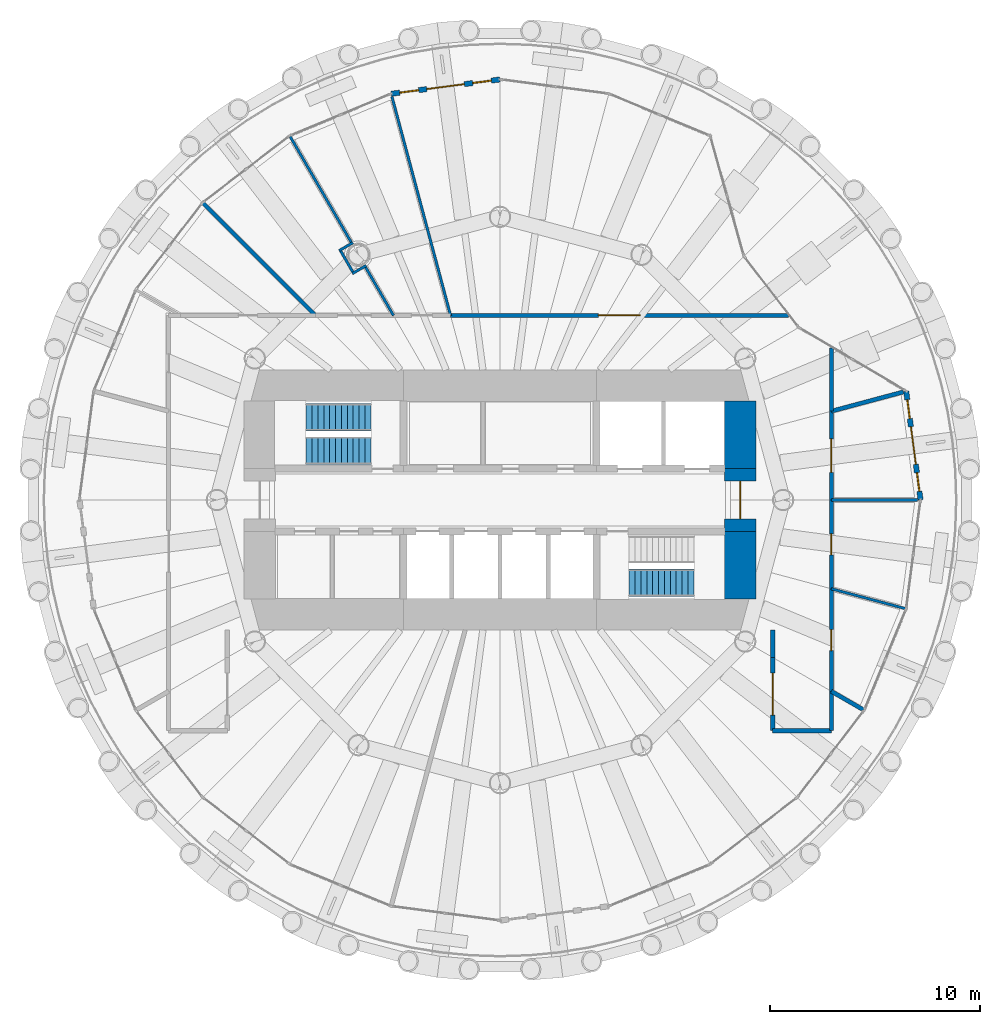
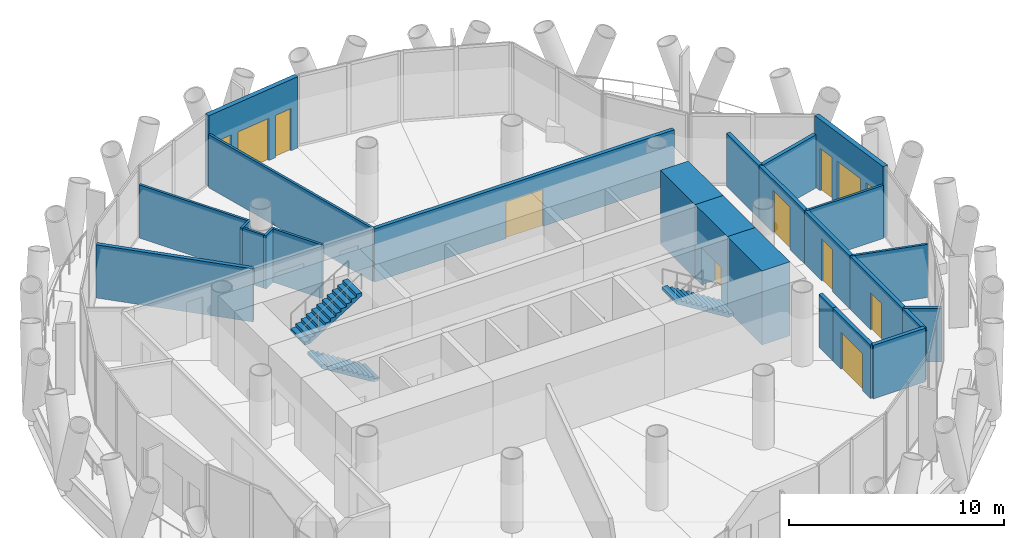
# One storey, part 10 of 14: 25 walls, 8 doors, 4 windows, 3 stair flights, 12 openings, 2 elements without a shape of their own.
"""IFC4 building model written with IfcOpenShell, lengths in metres."""

from ifc_helpers import new_model, si_unit, direction, frame, frame_2d, origin, place, context, subcontext, project, spatial, polyline, rectangle, outline, extrude, material, layer, layer_set, type_object, element, fill, aggregate, save


model = new_model("IFC4")

# Units and contexts
model_context = context("Model", 3, precision=1e-05, world=origin(), true_north=direction((0.0, 1.0)))
body_context = subcontext(model_context, "Body", "Model", "MODEL_VIEW")
ifc_project = project(units=[si_unit("LENGTHUNIT", "METRE"), si_unit("AREAUNIT", "SQUARE_METRE"), si_unit("VOLUMEUNIT", "CUBIC_METRE"), si_unit("PLANEANGLEUNIT", "RADIAN"), si_unit("MASSUNIT", "GRAM", prefix="KILO")], contexts=[model_context])

# Site, building, storey
site_placement = place(None, origin())
site = spatial("IfcSite", under=ifc_project, at=site_placement, CompositionType="ELEMENT")
building_placement = place(site_placement, origin())
building = spatial("IfcBuilding", under=site, at=building_placement, Name="Qaws Media Tower", CompositionType="ELEMENT")
storey_placement = place(building_placement, frame((0.0, 0.0, 236.0)))
storey = spatial("IfcBuildingStorey", under=building, at=storey_placement, Name="L54", CompositionType="ELEMENT", Elevation=236.0)

# Wall, openings, door, windows
ifc_material_1 = material(Name="Precast concrete, exposed finish", Category="concrete")
ifc_layer_1 = layer(ifc_material_1, 0.25)
ifc_layer_set_1 = layer_set([ifc_layer_1], Name="Balcony door wall 250")
wall_type_1 = type_object("IfcWallType", Name="Balcony door wall 250", PredefinedType="SOLIDWALL", material=ifc_layer_set_1)
wall_1_placement = place(storey_placement, frame((80.050048828125, 50.0, 0.0), z_axis=(0.0, 0.0, 1.0), x_axis=(-0.130559487011, 0.991440477463, 0.0)))
wall_1 = element("IfcWall", 1, at=wall_1_placement, inside=storey, type_object=wall_type_1, Name="W255 EW1 balcony door wall L54-01", PredefinedType="SOLIDWALL", context=body_context, shape_type="SweptSolid", body=[
    extrude(rectangle(XDim=5.234130859375, YDim=0.25, at=frame_2d((2.6171875, 0.0))), origin(), (0.0, 0.0, 1.0), 4.0400390625),
])
opening_1_placement = place(wall_1_placement, frame((1.717041015625, 0.0, 0.0)))
opening_1 = element("IfcOpeningElement", 2, at=opening_1_placement, cuts=wall_1, Name="Opening D7", PredefinedType="OPENING", context=body_context, shape_type="SweptSolid", body=[
    extrude(rectangle(XDim=1.800048828125, YDim=2.39990234375, at=frame_2d((0.89990234375, 1.199951171875))), frame((0.0, 0.135009765625, 0.0), z_axis=(0.0, -1.0, 0.0), x_axis=(1.0, 0.0, 0.0)), (0.0, 0.0, 1.0), 0.27001953125),
])
opening_2_placement = place(wall_1_placement, frame((0.4169921875, 0.0, 0.0)))
opening_2 = element("IfcOpeningElement", 3, at=opening_2_placement, cuts=wall_1, Name="Opening W7", PredefinedType="OPENING", context=body_context, shape_type="SweptSolid", body=[
    extrude(rectangle(XDim=0.89990234375, YDim=2.39990234375, at=frame_2d((0.449951171875, 1.199951171875))), frame((0.0, 0.135009765625, 0.0), z_axis=(0.0, -1.0, 0.0), x_axis=(1.0, 0.0, 0.0)), (0.0, 0.0, 1.0), 0.27001953125),
])
opening_3_placement = place(wall_1_placement, frame((3.9169921875, 0.0, 0.0)))
opening_3 = element("IfcOpeningElement", 4, at=opening_3_placement, cuts=wall_1, Name="Opening W7", PredefinedType="OPENING", context=body_context, shape_type="SweptSolid", body=[
    extrude(rectangle(XDim=0.89990234375, YDim=2.39990234375, at=frame_2d((0.449951171875, 1.199951171875))), frame((0.0, 0.135009765625, 0.0), z_axis=(0.0, -1.0, 0.0), x_axis=(1.0, 0.0, 0.0)), (0.0, 0.0, 1.0), 0.27001953125),
])
ifc_material_2 = material(Name="Aluminium and clear glass", Category="aluminium")
door_type_1 = type_object("IfcDoorType", Name="Balcony door pair 1800", OperationType="DOUBLE_DOOR_SLIDING", PredefinedType="DOOR", material=ifc_material_2)
door_1_placement = place(opening_1_placement, origin())
door_1 = element("IfcDoor", 5, at=door_1_placement, inside=storey, type_object=door_type_1, Name="D7 balcony door L54-01 in wall W255", OperationType="DOUBLE_DOOR_SLIDING", OverallHeight=2.39990234375, OverallWidth=1.800048828125, PredefinedType="DOOR", context=body_context, shape_type="SweptSolid", body=[
    extrude(rectangle(XDim=1.800048828125, YDim=2.39990234375, at=frame_2d((0.89990234375, 1.199951171875))), frame((0.0, 0.02490234375, 0.0), z_axis=(0.0, -1.0, 0.0), x_axis=(1.0, 0.0, 0.0)), (0.0, 0.0, 1.0), 0.050048828125),
])
fill(opening_1, door_1)
ifc_material_3 = material(Name="Aluminium and clear glass", Category="aluminium")
window_type = type_object("IfcWindowType", Name="Balcony side window 900", PartitioningType="SINGLE_PANEL", PredefinedType="WINDOW", material=ifc_material_3)
window_1_placement = place(opening_2_placement, origin())
window_1 = element("IfcWindow", 6, at=window_1_placement, inside=storey, type_object=window_type, Name="W1 balcony side light L54-01L", OverallHeight=2.39990234375, OverallWidth=0.89990234375, PartitioningType="SINGLE_PANEL", PredefinedType="WINDOW", context=body_context, shape_type="SweptSolid", body=[
    extrude(rectangle(XDim=0.89990234375, YDim=2.39990234375, at=frame_2d((0.449951171875, 1.199951171875))), frame((0.0, 0.030029296875, 0.0), z_axis=(0.0, -1.0, 0.0), x_axis=(1.0, 0.0, 0.0)), (0.0, 0.0, 1.0), 0.06005859375),
])
fill(opening_2, window_1)
window_2_placement = place(opening_3_placement, origin())
window_2 = element("IfcWindow", 7, at=window_2_placement, inside=storey, type_object=window_type, Name="W1 balcony side light L54-01R", OverallHeight=2.39990234375, OverallWidth=0.89990234375, PartitioningType="SINGLE_PANEL", PredefinedType="WINDOW", context=body_context, shape_type="SweptSolid", body=[
    extrude(rectangle(XDim=0.89990234375, YDim=2.39990234375, at=frame_2d((0.449951171875, 1.199951171875))), frame((0.0, 0.030029296875, 0.0), z_axis=(0.0, -1.0, 0.0), x_axis=(1.0, 0.0, 0.0)), (0.0, 0.0, 1.0), 0.06005859375),
])
fill(opening_3, window_2)

wall_2_placement = place(storey_placement, frame((60.0, 70.050048828125, 0.0), z_axis=(0.0, 0.0, 1.0), x_axis=(-0.991440477463, -0.130559487011, 0.0)))
wall_2 = element("IfcWall", 8, at=wall_2_placement, inside=storey, type_object=wall_type_1, Name="W254 EW1 balcony door wall L54-07", PredefinedType="SOLIDWALL", context=body_context, shape_type="SweptSolid", body=[
    extrude(rectangle(XDim=5.234130859375, YDim=0.25, at=frame_2d((2.6171875, 0.0))), origin(), (0.0, 0.0, 1.0), 4.0400390625),
])
opening_4_placement = place(wall_2_placement, frame((1.717041015625, 0.0, 0.0)))
opening_4 = element("IfcOpeningElement", 9, at=opening_4_placement, cuts=wall_2, Name="Opening D7", PredefinedType="OPENING", context=body_context, shape_type="SweptSolid", body=[
    extrude(rectangle(XDim=1.800048828125, YDim=2.39990234375, at=frame_2d((0.89990234375, 1.199951171875))), frame((0.0, 0.135009765625, 0.0), z_axis=(0.0, -1.0, 0.0), x_axis=(1.0, 0.0, 0.0)), (0.0, 0.0, 1.0), 0.27001953125),
])
opening_5_placement = place(wall_2_placement, frame((0.4169921875, 0.0, 0.0)))
opening_5 = element("IfcOpeningElement", 10, at=opening_5_placement, cuts=wall_2, Name="Opening W7", PredefinedType="OPENING", context=body_context, shape_type="SweptSolid", body=[
    extrude(rectangle(XDim=0.89990234375, YDim=2.39990234375, at=frame_2d((0.449951171875, 1.199951171875))), frame((0.0, 0.135009765625, 0.0), z_axis=(0.0, -1.0, 0.0), x_axis=(1.0, 0.0, 0.0)), (0.0, 0.0, 1.0), 0.27001953125),
])
opening_6_placement = place(wall_2_placement, frame((3.9169921875, 0.0, 0.0)))
opening_6 = element("IfcOpeningElement", 11, at=opening_6_placement, cuts=wall_2, Name="Opening W7", PredefinedType="OPENING", context=body_context, shape_type="SweptSolid", body=[
    extrude(rectangle(XDim=0.89990234375, YDim=2.39990234375, at=frame_2d((0.449951171875, 1.199951171875))), frame((0.0, 0.135009765625, 0.0), z_axis=(0.0, -1.0, 0.0), x_axis=(1.0, 0.0, 0.0)), (0.0, 0.0, 1.0), 0.27001953125),
])
door_2_placement = place(opening_4_placement, origin())
door_2 = element("IfcDoor", 12, at=door_2_placement, inside=storey, type_object=door_type_1, Name="D7 balcony door L54-07 in wall W254", OperationType="DOUBLE_DOOR_SLIDING", OverallHeight=2.39990234375, OverallWidth=1.800048828125, PredefinedType="DOOR", context=body_context, shape_type="SweptSolid", body=[
    extrude(rectangle(XDim=1.800048828125, YDim=2.39990234375, at=frame_2d((0.89990234375, 1.199951171875))), frame((0.0, 0.02490234375, 0.0), z_axis=(0.0, -1.0, 0.0), x_axis=(1.0, 0.0, 0.0)), (0.0, 0.0, 1.0), 0.050048828125),
])
fill(opening_4, door_2)
window_3_placement = place(opening_5_placement, origin())
window_3 = element("IfcWindow", 13, at=window_3_placement, inside=storey, type_object=window_type, Name="W1 balcony side light L54-07L", OverallHeight=2.39990234375, OverallWidth=0.89990234375, PartitioningType="SINGLE_PANEL", PredefinedType="WINDOW", context=body_context, shape_type="SweptSolid", body=[
    extrude(rectangle(XDim=0.89990234375, YDim=2.39990234375, at=frame_2d((0.449951171875, 1.199951171875))), frame((0.0, 0.030029296875, 0.0), z_axis=(0.0, -1.0, 0.0), x_axis=(1.0, 0.0, 0.0)), (0.0, 0.0, 1.0), 0.06005859375),
])
fill(opening_5, window_3)
window_4_placement = place(opening_6_placement, origin())
window_4 = element("IfcWindow", 14, at=window_4_placement, inside=storey, type_object=window_type, Name="W1 balcony side light L54-07R", OverallHeight=2.39990234375, OverallWidth=0.89990234375, PartitioningType="SINGLE_PANEL", PredefinedType="WINDOW", context=body_context, shape_type="SweptSolid", body=[
    extrude(rectangle(XDim=0.89990234375, YDim=2.39990234375, at=frame_2d((0.449951171875, 1.199951171875))), frame((0.0, 0.030029296875, 0.0), z_axis=(0.0, -1.0, 0.0), x_axis=(1.0, 0.0, 0.0)), (0.0, 0.0, 1.0), 0.06005859375),
])
fill(opening_6, window_4)

# Wall
ifc_material_4 = material(Name="Concrete C60/75", Category="concrete")
ifc_layer_2 = layer(ifc_material_4, 1.5)
ifc_layer_set_2 = layer_set([ifc_layer_2], Name="Core wall 1500")
wall_type_2 = type_object("IfcWallType", Name="Core wall 1500", PredefinedType="SHEAR", material=ifc_layer_set_2)
wall_3_placement = place(storey_placement, frame((71.449951171875, 45.280029296875, 0.0), z_axis=(0.0, 0.0, 1.0), x_axis=(0.0, 1.0, 0.0)))
element("IfcWall", 15, at=wall_3_placement, inside=storey, type_object=wall_type_2, Name="W383 SW13 core wall ES L54", PredefinedType="SHEAR", context=body_context, shape_type="SweptSolid", body=[
    extrude(rectangle(XDim=3.219970703125, YDim=1.5, at=frame_2d((1.60986328125, 0.0))), origin(), (0.0, 0.0, 1.0), 4.199951171875),
])

# Wall, opening, door
wall_4_placement = place(storey_placement, frame((71.449951171875, 48.5, 0.0), z_axis=(0.0, 0.0, 1.0), x_axis=(0.0, 1.0, 0.0)))
wall_4 = element("IfcWall", 16, at=wall_4_placement, inside=storey, type_object=wall_type_2, Name="W384 SW13 core wall E L54", PredefinedType="SHEAR", context=body_context, shape_type="SweptSolid", body=[
    extrude(rectangle(XDim=3.0, YDim=1.5, at=frame_2d((1.5, 0.0))), origin(), (0.0, 0.0, 1.0), 4.199951171875),
])
opening_7_placement = place(wall_4_placement, frame((0.60009765625, 0.0, 0.0)))
opening_7 = element("IfcOpeningElement", 17, at=opening_7_placement, cuts=wall_4, Name="Opening D2", PredefinedType="OPENING", context=body_context, shape_type="SweptSolid", body=[
    extrude(rectangle(XDim=1.800048828125, YDim=2.10009765625, at=frame_2d((0.89990234375, 1.050048828125))), frame((0.0, 0.760009765625, 0.0), z_axis=(0.0, -1.0, 0.0), x_axis=(1.0, 0.0, 0.0)), (0.0, 0.0, 1.0), 1.52001953125),
])
ifc_material_5 = material(Name="Steel and glass, fire rated", Category="steel")
door_type_2 = type_object("IfcDoorType", Name="Lobby door pair 1800 FD60", OperationType="DOUBLE_DOOR_DOUBLE_SWING", PredefinedType="DOOR", material=ifc_material_5)
door_3_placement = place(opening_7_placement, origin())
door_3 = element("IfcDoor", 18, at=door_3_placement, inside=storey, type_object=door_type_2, Name="D2 core lobby door E L54 in wall W384", OperationType="DOUBLE_DOOR_DOUBLE_SWING", OverallHeight=2.10009765625, OverallWidth=1.800048828125, PredefinedType="DOOR", context=body_context, shape_type="SweptSolid", body=[
    extrude(rectangle(XDim=1.800048828125, YDim=2.10009765625, at=frame_2d((0.89990234375, 1.050048828125))), frame((0.0, 0.02490234375, 0.0), z_axis=(0.0, -1.0, 0.0), x_axis=(1.0, 0.0, 0.0)), (0.0, 0.0, 1.0), 0.050048828125),
])
fill(opening_7, door_3)

# Walls
wall_5_placement = place(storey_placement, frame((71.449951171875, 51.5, 0.0), z_axis=(0.0, 0.0, 1.0), x_axis=(0.0, 1.0, 0.0)))
element("IfcWall", 19, at=wall_5_placement, inside=storey, type_object=wall_type_2, Name="W385 SW13 core wall EN L54", PredefinedType="SHEAR", context=body_context, shape_type="SweptSolid", body=[
    extrude(rectangle(XDim=3.219970703125, YDim=1.5, at=frame_2d((1.60986328125, 0.0))), origin(), (0.0, 0.0, 1.0), 4.199951171875),
])
ifc_material_6 = material(Name="Two layers gypsum board each side on 75 studs, insulated", Category="gypsum")
ifc_layer_3 = layer(ifc_material_6, 0.125)
ifc_layer_set_3 = layer_set([ifc_layer_3], Name="Meeting room partition 125 Rw 48")
wall_type_3 = type_object("IfcWallType", Name="Meeting room partition 125 Rw 48", PredefinedType="PARTITIONING", material=ifc_layer_set_3)
wall_6_placement = place(storey_placement, frame((75.800048828125, 50.0, 0.0), z_axis=(0.0, 0.0, 1.0), x_axis=(1.0, 0.0, 0.0)))
element("IfcWall", 20, at=wall_6_placement, inside=storey, type_object=wall_type_3, Name="W621 IW5 partition L54", PredefinedType="PARTITIONING", context=body_context, shape_type="SweptSolid", body=[
    extrude(rectangle(XDim=4.10986328125, YDim=0.125, at=frame_2d((2.054931640625, 0.0))), origin(), (0.0, 0.0, 1.0), 3.02001953125),
])
wall_7_placement = place(storey_placement, frame((57.644775390625, 58.789794921875, 0.0), z_axis=(0.0, 0.0, 1.0), x_axis=(-0.258815105593, 0.965926881869, 0.0)))
element("IfcWall", 21, at=wall_7_placement, inside=storey, type_object=wall_type_3, Name="W620 IW5 partition L54", PredefinedType="PARTITIONING", context=body_context, shape_type="SweptSolid", body=[
    extrude(rectangle(XDim=10.810302734375, YDim=0.125, at=frame_2d((5.4052734375, 0.0))), origin(), (0.0, 0.0, 1.0), 3.02001953125),
])
for number, where, z_axis, x_axis, name in (
    (22, (53.619384765625, 61.176513671875, 0.0), (0.0, 0.0, 1.0), (-0.866036909293, -0.499980071345, 0.0), "W544 IW5 partition return L54"),
    (23, (52.989013671875, 62.2685546875, 0.0), (0.0, 0.0, 1.0), (-0.866174967129, -0.499740859165, 0.0), "W543 IW5 partition return L54"),
):
    element("IfcWall", number, at=place(storey_placement, frame(where, z_axis=z_axis, x_axis=x_axis)), inside=storey, type_object=wall_type_3, Name=name, PredefinedType="PARTITIONING", context=body_context, shape_type="SweptSolid", body=[
        extrude(rectangle(XDim=0.765625, YDim=0.125, at=frame_2d((0.3828125, 0.0))), origin(), (0.0, 0.0, 1.0), 3.02001953125),
    ])
wall_8_placement = place(storey_placement, frame((52.979248046875, 60.879150390625, 0.0), z_axis=(0.0, 0.0, 1.0), x_axis=(-0.499883687939, 0.866092546171, 0.0)))
element("IfcWall", 24, at=wall_8_placement, inside=storey, type_object=wall_type_3, Name="W542 IW5 partition return L54", PredefinedType="PARTITIONING", context=body_context, shape_type="SweptSolid", body=[
    extrude(rectangle(XDim=1.135986328125, YDim=0.125, at=frame_2d((0.56787109375, 0.0))), origin(), (0.0, 0.0, 1.0), 3.02001953125),
])
wall_9_placement = place(storey_placement, frame((54.919921875, 58.798828125, 0.0), z_axis=(0.0, 0.0, 1.0), x_axis=(-0.499977931934, 0.866038144413, 0.0)))
element("IfcWall", 25, at=wall_9_placement, inside=storey, type_object=wall_type_3, Name="W611 IW5 partition L54", PredefinedType="PARTITIONING", context=body_context, shape_type="SweptSolid", body=[
    extrude(rectangle(XDim=2.64697265625, YDim=0.125, at=frame_2d((1.323486328125, 0.0))), origin(), (0.0, 0.0, 1.0), 3.0400390625),
])
wall_10_placement = place(storey_placement, frame((52.903564453125, 62.29150390625, 0.0), z_axis=(0.0, 0.0, 1.0), x_axis=(-0.499998569178, 0.866026229868, 0.0)))
element("IfcWall", 26, at=wall_10_placement, inside=storey, type_object=wall_type_3, Name="W619 IW5 partition L54", PredefinedType="PARTITIONING", context=body_context, shape_type="SweptSolid", body=[
    extrude(rectangle(XDim=5.81689453125, YDim=0.125, at=frame_2d((2.908447265625, 0.0))), origin(), (0.0, 0.0, 1.0), 3.02001953125),
])
wall_11_placement = place(storey_placement, frame((75.802490234375, 45.765625, 0.0), z_axis=(0.0, 0.0, 1.0), x_axis=(0.965933422505, -0.258790693974, 0.0)))
element("IfcWall", 27, at=wall_11_placement, inside=storey, type_object=wall_type_3, Name="W622 IW5 partition L54", PredefinedType="PARTITIONING", context=body_context, shape_type="SweptSolid", body=[
    extrude(rectangle(XDim=3.64990234375, YDim=0.125, at=frame_2d((1.824951171875, 0.0))), origin(), (0.0, 0.0, 1.0), 3.02001953125),
])

# Wall, opening, door
ifc_material_7 = material(Name="Gypsum board on galvanised metal studs, acoustic double stud, deflection head", Category="gypsum")
ifc_layer_4 = layer(ifc_material_7, 0.199951171875)
ifc_layer_set_4 = layer_set([ifc_layer_4], Name="Room partition 200")
wall_type_4 = type_object("IfcWallType", Name="Room partition 200", PredefinedType="PARTITIONING", material=ifc_layer_set_4)
wall_12_placement = place(storey_placement, frame((57.64208984375, 58.800048828125, 0.0), z_axis=(0.0, 0.0, 1.0), x_axis=(1.0, 0.0, 0.0)))
wall_12 = element("IfcWall", 28, at=wall_12_placement, inside=storey, type_object=wall_type_4, Name="W1639 IW3 partition L54", PredefinedType="PARTITIONING", context=body_context, shape_type="SweptSolid", body=[
    extrude(rectangle(XDim=16.106201171875, YDim=0.199951171875, at=frame_2d((8.05322265625, 0.0))), origin(), (0.0, 0.0, 1.0), 3.02001953125),
])
opening_8_placement = place(wall_12_placement, frame((7.052978515625, 0.0, 0.0)))
opening_8 = element("IfcOpeningElement", 29, at=opening_8_placement, cuts=wall_12, Name="Opening D6", PredefinedType="OPENING", context=body_context, shape_type="SweptSolid", body=[
    extrude(rectangle(XDim=2.0, YDim=2.10009765625, at=frame_2d((1.0, 1.050048828125))), frame((0.0, 0.10986328125, 0.0), z_axis=(0.0, -1.0, 0.0), x_axis=(1.0, 0.0, 0.0)), (0.0, 0.0, 1.0), 0.219970703125),
])
ifc_material_8 = material(Name="Steel, acoustic, fire rated", Category="steel")
door_type_3 = type_object("IfcDoorType", Name="Room door pair 2000", OperationType="DOUBLE_DOOR_DOUBLE_SWING", PredefinedType="DOOR", material=ifc_material_8)
door_4_placement = place(opening_8_placement, origin())
door_4 = element("IfcDoor", 30, at=door_4_placement, inside=storey, type_object=door_type_3, Name="D6 Tenant office door L54 in wall W1639", OperationType="DOUBLE_DOOR_DOUBLE_SWING", OverallHeight=2.10009765625, OverallWidth=2.0, PredefinedType="DOOR", context=body_context, shape_type="SweptSolid", body=[
    extrude(rectangle(XDim=2.0, YDim=2.10009765625, at=frame_2d((1.0, 1.050048828125))), frame((0.0, 0.02490234375, 0.0), z_axis=(0.0, -1.0, 0.0), x_axis=(1.0, 0.0, 0.0)), (0.0, 0.0, 1.0), 0.050048828125),
])
fill(opening_8, door_4)

# Wall
wall_13_placement = place(storey_placement, frame((75.800048828125, 57.25146484375, 0.0), z_axis=(0.0, 0.0, 1.0), x_axis=(0.0, -1.0, 0.0)))
element("IfcWall", 31, at=wall_13_placement, inside=storey, type_object=wall_type_4, Name="W1642 IW3 partition L54", PredefinedType="PARTITIONING", context=body_context, shape_type="SweptSolid", body=[
    extrude(rectangle(XDim=3.017822265625, YDim=0.199951171875, at=frame_2d((1.5087890625, 0.0))), origin(), (0.0, 0.0, 1.0), 3.02001953125),
])

# Wall, opening, door
wall_14_placement = place(storey_placement, frame((75.800048828125, 54.233642578125, 0.0), z_axis=(0.0, 0.0, 1.0), x_axis=(0.0, -1.0, 0.0)))
wall_14 = element("IfcWall", 32, at=wall_14_placement, inside=storey, type_object=wall_type_4, Name="W1624 IW3 partition L54", PredefinedType="PARTITIONING", context=body_context, shape_type="SweptSolid", body=[
    extrude(rectangle(XDim=4.233642578125, YDim=0.199951171875, at=frame_2d((2.11669921875, 0.0))), origin(), (0.0, 0.0, 1.0), 3.02001953125),
])
opening_9_placement = place(wall_14_placement, frame((1.31689453125, 0.0, 0.0)))
opening_9 = element("IfcOpeningElement", 33, at=opening_9_placement, cuts=wall_14, Name="Opening D16", PredefinedType="OPENING", context=body_context, shape_type="SweptSolid", body=[
    extrude(rectangle(XDim=1.60009765625, YDim=2.39990234375, at=frame_2d((0.800048828125, 1.199951171875))), frame((0.0, 0.10986328125, 0.0), z_axis=(0.0, -1.0, 0.0), x_axis=(1.0, 0.0, 0.0)), (0.0, 0.0, 1.0), 0.219970703125),
])
ifc_material_9 = material(Name="Glazed aluminium, fire rated", Category="aluminium")
door_type_4 = type_object("IfcDoorType", Name="Tenant entrance door pair 1600x2400", OperationType="DOUBLE_DOOR_DOUBLE_SWING", PredefinedType="DOOR", material=ifc_material_9)
door_5_placement = place(opening_9_placement, origin())
door_5 = element("IfcDoor", 34, at=door_5_placement, inside=storey, type_object=door_type_4, Name="D16 Tenant reception door L54 in wall W1624", OperationType="DOUBLE_DOOR_DOUBLE_SWING", OverallHeight=2.39990234375, OverallWidth=1.60009765625, PredefinedType="DOOR", context=body_context, shape_type="SweptSolid", body=[
    extrude(rectangle(XDim=1.60009765625, YDim=2.39990234375, at=frame_2d((0.800048828125, 1.199951171875))), frame((0.0, 0.02490234375, 0.0), z_axis=(0.0, -1.0, 0.0), x_axis=(1.0, 0.0, 0.0)), (0.0, 0.0, 1.0), 0.050048828125),
])
fill(opening_9, door_5)

wall_15_placement = place(storey_placement, frame((75.800048828125, 50.0, 0.0), z_axis=(0.0, 0.0, 1.0), x_axis=(0.0, -1.0, 0.0)))
wall_15 = element("IfcWall", 35, at=wall_15_placement, inside=storey, type_object=wall_type_4, Name="W1623 IW3 partition L54", PredefinedType="PARTITIONING", context=body_context, shape_type="SweptSolid", body=[
    extrude(rectangle(XDim=4.233642578125, YDim=0.199951171875, at=frame_2d((2.11669921875, 0.0))), origin(), (0.0, 0.0, 1.0), 3.02001953125),
])
opening_10_placement = place(wall_15_placement, frame((1.61669921875, 0.0, 0.0)))
opening_10 = element("IfcOpeningElement", 36, at=opening_10_placement, cuts=wall_15, Name="Opening D13", PredefinedType="OPENING", context=body_context, shape_type="SweptSolid", body=[
    extrude(rectangle(XDim=1.0, YDim=2.39990234375, at=frame_2d((0.5, 1.199951171875))), frame((0.0, 0.10986328125, 0.0), z_axis=(0.0, -1.0, 0.0), x_axis=(1.0, 0.0, 0.0)), (0.0, 0.0, 1.0), 0.219970703125),
])
ifc_material_10 = material(Name="Frameless toughened glass, acoustic seals", Category="glass")
door_type_5 = type_object("IfcDoorType", Name="Glazed meeting room door 1000x2400", OperationType="SINGLE_SWING_LEFT", PredefinedType="DOOR", material=ifc_material_10)
door_6_placement = place(opening_10_placement, origin())
door_6 = element("IfcDoor", 37, at=door_6_placement, inside=storey, type_object=door_type_5, Name="D13 Meeting room door L54 in wall W1623", OperationType="SINGLE_SWING_LEFT", OverallHeight=2.39990234375, OverallWidth=1.0, PredefinedType="DOOR", context=body_context, shape_type="SweptSolid", body=[
    extrude(rectangle(XDim=1.0, YDim=2.39990234375, at=frame_2d((0.5, 1.199951171875))), frame((0.0, 0.02490234375, 0.0), z_axis=(0.0, -1.0, 0.0), x_axis=(1.0, 0.0, 0.0)), (0.0, 0.0, 1.0), 0.050048828125),
])
fill(opening_10, door_6)

wall_16_placement = place(storey_placement, frame((75.800048828125, 45.766357421875, 0.0), z_axis=(0.0, 0.0, 1.0), x_axis=(0.0, -1.0, 0.0)))
wall_16 = element("IfcWall", 38, at=wall_16_placement, inside=storey, type_object=wall_type_4, Name="W1622 IW3 partition L54", PredefinedType="PARTITIONING", context=body_context, shape_type="SweptSolid", body=[
    extrude(rectangle(XDim=4.888427734375, YDim=0.199951171875, at=frame_2d((2.4443359375, 0.0))), origin(), (0.0, 0.0, 1.0), 3.02001953125),
])
opening_11_placement = place(wall_16_placement, frame((1.9443359375, 0.0, 0.0)))
opening_11 = element("IfcOpeningElement", 39, at=opening_11_placement, cuts=wall_16, Name="Opening D5", PredefinedType="OPENING", context=body_context, shape_type="SweptSolid", body=[
    extrude(rectangle(XDim=1.0, YDim=2.10009765625, at=frame_2d((0.5, 1.050048828125))), frame((0.0, 0.10986328125, 0.0), z_axis=(0.0, -1.0, 0.0), x_axis=(1.0, 0.0, 0.0)), (0.0, 0.0, 1.0), 0.219970703125),
])
ifc_material_11 = material(Name="Timber veneered, acoustic seal", Category="wood")
door_type_6 = type_object("IfcDoorType", Name="Room door 1000", OperationType="SINGLE_SWING_LEFT", PredefinedType="DOOR", material=ifc_material_11)
door_7_placement = place(opening_11_placement, origin())
door_7 = element("IfcDoor", 40, at=door_7_placement, inside=storey, type_object=door_type_6, Name="D5 Tenant office door L54 in wall W1622", OperationType="SINGLE_SWING_LEFT", OverallHeight=2.10009765625, OverallWidth=1.0, PredefinedType="DOOR", context=body_context, shape_type="SweptSolid", body=[
    extrude(rectangle(XDim=1.0, YDim=2.10009765625, at=frame_2d((0.5, 1.050048828125))), frame((0.0, 0.02490234375, 0.0), z_axis=(0.0, -1.0, 0.0), x_axis=(1.0, 0.0, 0.0)), (0.0, 0.0, 1.0), 0.050048828125),
])
fill(opening_11, door_7)

# Walls
wall_17_placement = place(storey_placement, frame((75.800048828125, 40.8779296875, 0.0), z_axis=(0.0, 0.0, 1.0), x_axis=(0.0, -1.0, 0.0)))
element("IfcWall", 41, at=wall_17_placement, inside=storey, type_object=wall_type_4, Name="W1621 IW3 partition L54", PredefinedType="PARTITIONING", context=body_context, shape_type="SweptSolid", body=[
    extrude(rectangle(XDim=1.8779296875, YDim=0.199951171875, at=frame_2d((0.93896484375, 0.0))), origin(), (0.0, 0.0, 1.0), 3.02001953125),
])
wall_18_placement = place(storey_placement, frame((75.800048828125, 39.0, 0.0), z_axis=(0.0, 0.0, 1.0), x_axis=(-1.0, 0.0, 0.0)))
element("IfcWall", 42, at=wall_18_placement, inside=storey, type_object=wall_type_4, Name="W1231 IW3 partition L54", PredefinedType="PARTITIONING", context=body_context, shape_type="SweptSolid", body=[
    extrude(rectangle(XDim=2.800048828125, YDim=0.199951171875, at=frame_2d((1.39990234375, 0.0))), origin(), (0.0, 0.0, 1.0), 3.0400390625),
])

# Wall, opening, door
wall_19_placement = place(storey_placement, frame((73.0, 39.0, 0.0), z_axis=(0.0, 0.0, 1.0), x_axis=(0.0, 1.0, 0.0)))
wall_19 = element("IfcWall", 43, at=wall_19_placement, inside=storey, type_object=wall_type_4, Name="W1602 IW3 partition L54", PredefinedType="PARTITIONING", context=body_context, shape_type="SweptSolid", body=[
    extrude(rectangle(XDim=3.494384765625, YDim=0.199951171875, at=frame_2d((1.7470703125, 0.0))), origin(), (0.0, 0.0, 1.0), 3.02001953125),
])
opening_12_placement = place(wall_19_placement, frame((0.747314453125, 0.0, 0.0)))
opening_12 = element("IfcOpeningElement", 44, at=opening_12_placement, cuts=wall_19, Name="Opening D6", PredefinedType="OPENING", context=body_context, shape_type="SweptSolid", body=[
    extrude(rectangle(XDim=2.0, YDim=2.10009765625, at=frame_2d((1.0, 1.050048828125))), frame((0.0, 0.10986328125, 0.0), z_axis=(0.0, -1.0, 0.0), x_axis=(1.0, 0.0, 0.0)), (0.0, 0.0, 1.0), 0.219970703125),
])
door_8_placement = place(opening_12_placement, origin())
door_8 = element("IfcDoor", 45, at=door_8_placement, inside=storey, type_object=door_type_3, Name="D6 Tenant office door L54 in wall W1602", OperationType="DOUBLE_DOOR_DOUBLE_SWING", OverallHeight=2.10009765625, OverallWidth=2.0, PredefinedType="DOOR", context=body_context, shape_type="SweptSolid", body=[
    extrude(rectangle(XDim=2.0, YDim=2.10009765625, at=frame_2d((1.0, 1.050048828125))), frame((0.0, 0.02490234375, 0.0), z_axis=(0.0, -1.0, 0.0), x_axis=(1.0, 0.0, 0.0)), (0.0, 0.0, 1.0), 0.050048828125),
])
fill(opening_12, door_8)

# Walls
wall_20_placement = place(storey_placement, frame((73.0, 42.494384765625, 0.0), z_axis=(0.0, 0.0, 1.0), x_axis=(0.0, 1.0, 0.0)))
element("IfcWall", 46, at=wall_20_placement, inside=storey, type_object=wall_type_4, Name="W1603 IW3 partition L54", PredefinedType="PARTITIONING", context=body_context, shape_type="SweptSolid", body=[
    extrude(rectangle(XDim=1.3056640625, YDim=0.199951171875, at=frame_2d((0.65283203125, 0.0))), origin(), (0.0, 0.0, 1.0), 3.02001953125),
])
wall_21_placement = place(storey_placement, frame((75.802490234375, 54.234375, 0.0), z_axis=(0.0, 0.0, 1.0), x_axis=(0.965936387739, 0.258779626019, 0.0)))
element("IfcWall", 47, at=wall_21_placement, inside=storey, type_object=wall_type_4, Name="W1643 IW3 partition L54", PredefinedType="PARTITIONING", context=body_context, shape_type="SweptSolid", body=[
    extrude(rectangle(XDim=3.550048828125, YDim=0.199951171875, at=frame_2d((1.77490234375, 0.0))), origin(), (0.0, 0.0, 1.0), 3.02001953125),
])
wall_22_placement = place(storey_placement, frame((51.20361328125, 58.79638671875, 0.0), z_axis=(0.0, 0.0, 1.0), x_axis=(-0.707106781187, 0.707106781187, 0.0)))
element("IfcWall", 48, at=wall_22_placement, inside=storey, type_object=wall_type_4, Name="W1638 IW3 partition L54", PredefinedType="PARTITIONING", context=body_context, shape_type="SweptSolid", body=[
    extrude(rectangle(XDim=7.570068359375, YDim=0.199951171875, at=frame_2d((3.78515625, 0.0))), origin(), (0.0, 0.0, 1.0), 3.02001953125),
])
wall_23_placement = place(storey_placement, frame((75.79638671875, 40.8798828125, 0.0), z_axis=(0.0, 0.0, 1.0), x_axis=(0.866061540533, -0.499937404092, 0.0)))
element("IfcWall", 49, at=wall_23_placement, inside=storey, type_object=wall_type_4, Name="W1641 IW3 partition L54", PredefinedType="PARTITIONING", context=body_context, shape_type="SweptSolid", body=[
    extrude(rectangle(XDim=1.769775390625, YDim=0.199951171875, at=frame_2d((0.884765625, 0.0))), origin(), (0.0, 0.0, 1.0), 3.02001953125),
])

# Stair, stair flights
ifc_material_12 = material(Name="Concrete C40/50", Category="concrete")
stair_type = type_object("IfcStairType", Name="Exit stair", PredefinedType="HALF_TURN_STAIR", material=ifc_material_12)
stair_1_placement = place(storey_placement, origin())
stair_1 = element("IfcStair", 50, at=stair_1_placement, inside=storey, type_object=stair_type, Name="S1 exit stair L54", PredefinedType="HALF_TURN_STAIR")
ifc_material_13 = material(Name="Concrete C40/50", Category="concrete")
stair_flight_type = type_object("IfcStairFlightType", Name="Stair flight 1310", PredefinedType="STRAIGHT", material=ifc_material_13)
stair_flight_1_placement = place(storey_placement, frame((53.840087890625, 52.35498046875, 0.0), z_axis=(0.0, 0.0, 1.0), x_axis=(-1.0, 0.0, 0.0)))
stair_flight_1 = element("IfcStairFlight", 51, at=stair_flight_1_placement, type_object=stair_flight_type, Name="S1 flight 1", NumberOfRisers=12, NumberOfTreads=11, PredefinedType="STRAIGHT", RiserHeight=0.175, TreadLength=0.28, context=body_context, shape_type="SweptSolid", body=[
    extrude(outline(polyline([(0.0, 0.0), (0.0, 0.175048828125), (0.280029296875, 0.175048828125), (0.280029296875, 0.35009765625), (0.56005859375, 0.35009765625), (0.56005859375, 0.52490234375), (0.840087890625, 0.52490234375), (0.840087890625, 0.699951171875), (1.1201171875, 0.699951171875), (1.1201171875, 0.875), (1.39990234375, 0.875), (1.39990234375, 1.050048828125), (1.679931640625, 1.050048828125), (1.679931640625, 1.22509765625), (1.9599609375, 1.22509765625), (1.9599609375, 1.39990234375), (2.239990234375, 1.39990234375), (2.239990234375, 1.574951171875), (2.52001953125, 1.574951171875), (2.52001953125, 1.75), (2.800048828125, 1.75), (2.800048828125, 1.925048828125), (3.080078125, 1.925048828125), (3.080078125, 2.10009765625), (3.080078125, 1.748291015625), (0.28271484375, 0.0), (0.0, 0.0)])), frame((0.0, 0.655029296875, 0.0), z_axis=(0.0, -1.0, 0.0), x_axis=(1.0, 0.0, 0.0)), (0.0, 0.0, 1.0), 1.31005859375),
])
stair_flight_2_placement = place(storey_placement, frame((50.760009765625, 53.945068359375, 2.10009765625), z_axis=(0.0, 0.0, 1.0), x_axis=(1.0, 0.0, 0.0)))
stair_flight_2 = element("IfcStairFlight", 52, at=stair_flight_2_placement, type_object=stair_flight_type, Name="S1 flight 2", NumberOfRisers=12, NumberOfTreads=11, PredefinedType="STRAIGHT", RiserHeight=0.175, TreadLength=0.28, context=body_context, shape_type="SweptSolid", body=[
    extrude(outline(polyline([(0.0, 0.0), (0.0, 0.175048828125), (0.280029296875, 0.175048828125), (0.280029296875, 0.35009765625), (0.56005859375, 0.35009765625), (0.56005859375, 0.52490234375), (0.840087890625, 0.52490234375), (0.840087890625, 0.699951171875), (1.1201171875, 0.699951171875), (1.1201171875, 0.875), (1.39990234375, 0.875), (1.39990234375, 1.050048828125), (1.679931640625, 1.050048828125), (1.679931640625, 1.22509765625), (1.9599609375, 1.22509765625), (1.9599609375, 1.39990234375), (2.239990234375, 1.39990234375), (2.239990234375, 1.574951171875), (2.52001953125, 1.574951171875), (2.52001953125, 1.75), (2.800048828125, 1.75), (2.800048828125, 1.925048828125), (3.080078125, 1.925048828125), (3.080078125, 2.10009765625), (3.080078125, 1.748291015625), (0.28271484375, 0.0), (0.0, 0.0)])), frame((0.0, 0.655029296875, 0.0), z_axis=(0.0, -1.0, 0.0), x_axis=(1.0, 0.0, 0.0)), (0.0, 0.0, 1.0), 1.31005859375),
])
aggregate(stair_1, [stair_flight_1, stair_flight_2])

# Stair, stair flight
stair_2_placement = place(storey_placement, origin())
stair_2 = element("IfcStair", 53, at=stair_2_placement, inside=storey, type_object=stair_type, Name="S2 exit stair L54", PredefinedType="HALF_TURN_STAIR")
stair_flight_3_placement = place(storey_placement, frame((69.239990234375, 46.054931640625, 2.10009765625), z_axis=(0.0, 0.0, 1.0), x_axis=(-1.0, 0.0, 0.0)))
stair_flight_3 = element("IfcStairFlight", 54, at=stair_flight_3_placement, type_object=stair_flight_type, Name="S2 flight 2", NumberOfRisers=12, NumberOfTreads=11, PredefinedType="STRAIGHT", RiserHeight=0.175, TreadLength=0.28, context=body_context, shape_type="SweptSolid", body=[
    extrude(outline(polyline([(0.0, 0.0), (0.0, 0.175048828125), (0.280029296875, 0.175048828125), (0.280029296875, 0.35009765625), (0.56005859375, 0.35009765625), (0.56005859375, 0.52490234375), (0.840087890625, 0.52490234375), (0.840087890625, 0.699951171875), (1.1201171875, 0.699951171875), (1.1201171875, 0.875), (1.39990234375, 0.875), (1.39990234375, 1.050048828125), (1.679931640625, 1.050048828125), (1.679931640625, 1.22509765625), (1.9599609375, 1.22509765625), (1.9599609375, 1.39990234375), (2.239990234375, 1.39990234375), (2.239990234375, 1.574951171875), (2.52001953125, 1.574951171875), (2.52001953125, 1.75), (2.800048828125, 1.75), (2.800048828125, 1.925048828125), (3.080078125, 1.925048828125), (3.080078125, 2.10009765625), (3.080078125, 1.748291015625), (0.28271484375, 0.0), (0.0, 0.0)])), frame((0.0, 0.655029296875, 0.0), z_axis=(0.0, -1.0, 0.0), x_axis=(1.0, 0.0, 0.0)), (0.0, 0.0, 1.0), 1.31005859375),
])
aggregate(stair_2, [stair_flight_3])

save(model, "model.ifc")
